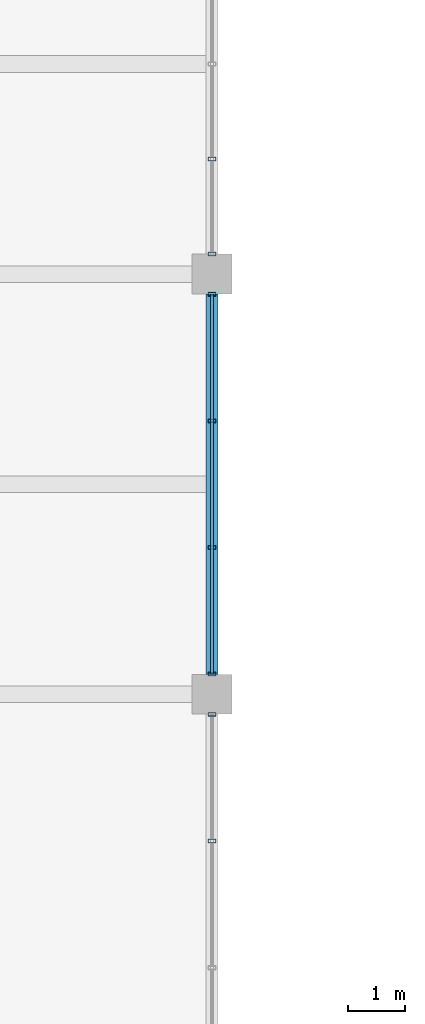
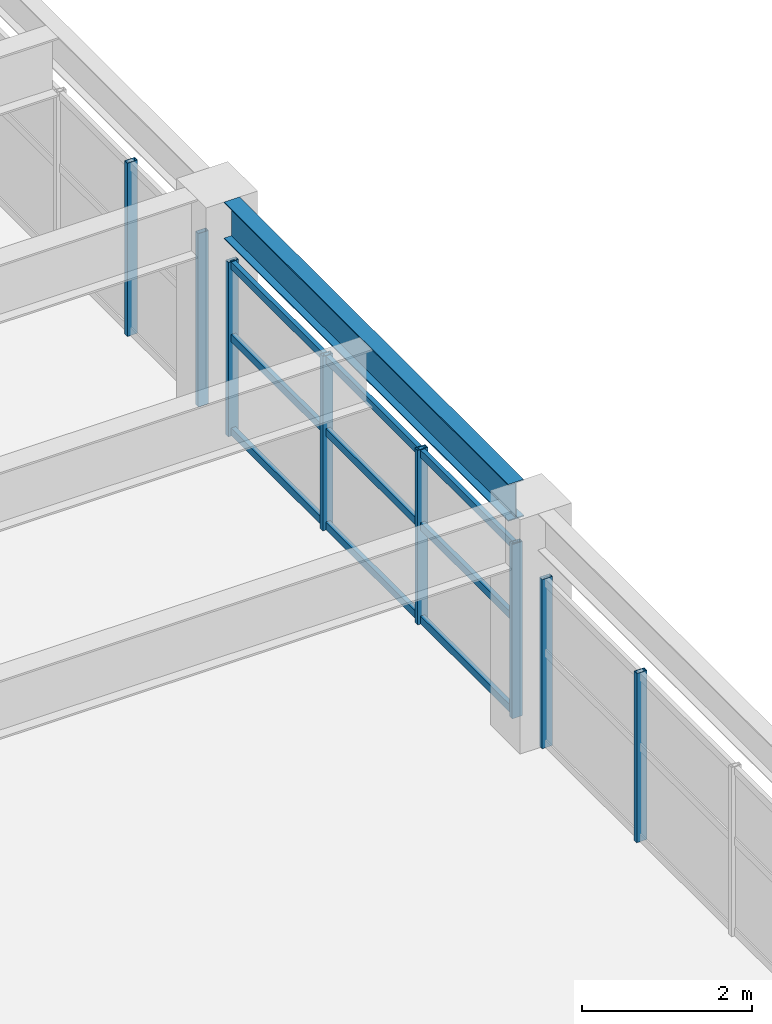
# One storey, part 64 of 121: 11 members, 1 beam, 3 elements without a shape of their own.
"""IFC4 building model written with IfcOpenShell, lengths in metres."""

from ifc_helpers import new_model, si_unit, direction, frame, origin, origin_2d, place, context, subcontext, project, spatial, hollow_rectangle, i_section, extrude, material, material_profile, profile_set, type_object, element, aggregate, save


model = new_model("IFC4")

# Units and contexts
model_context = context("Model", 3, precision=1e-05, world=origin(), true_north=direction((0.0, 1.0)))
body_context = subcontext(model_context, "Body", "Model", "MODEL_VIEW")
ifc_project = project(units=[si_unit("LENGTHUNIT", "METRE"), si_unit("AREAUNIT", "SQUARE_METRE"), si_unit("VOLUMEUNIT", "CUBIC_METRE"), si_unit("PLANEANGLEUNIT", "RADIAN"), si_unit("MASSUNIT", "GRAM", prefix="KILO")], contexts=[model_context])

# Site, building, storey
site_placement = place(None, origin())
site = spatial("IfcSite", under=ifc_project, at=site_placement, CompositionType="ELEMENT")
building_placement = place(site_placement, origin())
building = spatial("IfcBuilding", under=site, at=building_placement, Name="Cimatlan Art Gallery", CompositionType="ELEMENT")
storey_placement = place(building_placement, frame((0.0, 0.0, 10.199951171875)))
storey = spatial("IfcBuildingStorey", under=building, at=storey_placement, Name="L02", CompositionType="ELEMENT", Elevation=10.199951171875)

# Beam
ifc_material_1 = material(Name="Steel ASTM A992 Grade 50", Category="steel")
ifc_material_profile_1 = material_profile(ifc_material_1, i_section(OverallWidth=0.2099609375, OverallDepth=0.532958984375, WebThickness=0.01025390625, FlangeThickness=0.015625, at=origin_2d()), Name="W21X62")
ifc_profile_set_1 = profile_set([ifc_material_profile_1], Name="Steel ASTM A992 Grade 50")
beam_type = type_object("IfcBeamType", Name="BM-STL-W21X62", PredefinedType="BEAM", material=ifc_profile_set_1)
beam_placement = place(storey_placement, frame((99.199951171875, 68.64990234375, 3.103515625), z_axis=(0.0, 1.0, 0.0), x_axis=(-1.0, 0.0, 0.0)))
element("IfcBeam", 1, at=beam_placement, inside=storey, type_object=beam_type, Name="BM-Y-L02-12-09", PredefinedType="BEAM", context=body_context, shape_type="SweptSolid", body=[
    extrude(i_section(OverallWidth=0.2099609375, OverallDepth=0.532958984375, WebThickness=0.01025390625, FlangeThickness=0.015625, at=origin_2d()), origin(), (0.0, 0.0, 1.0), 6.7001953125),
])

# Curtain wall, members
ifc_material_2 = material(Name="Anodised bronze unitised curtain wall")
curtain_wall_type_1 = type_object("IfcCurtainWallType", Name="CW-V-06692X02434-B3", PredefinedType="NOTDEFINED", material=ifc_material_2)
curtain_wall_1_placement = place(storey_placement, origin())
curtain_wall_1 = element("IfcCurtainWall", 2, at=curtain_wall_1_placement, inside=storey, type_object=curtain_wall_type_1, Name="CW-L02-11-08-E", PredefinedType="NOTDEFINED")
ifc_material_3 = material(Name="Anodised bronze aluminium 6063-T6", Category="aluminium")
ifc_material_profile_2 = material_profile(ifc_material_3, hollow_rectangle(XDim=0.06494140625, YDim=0.139892578125, WallThickness=0.00390625, at=origin_2d()), Name="ALU65X140X4")
ifc_profile_set_2 = profile_set([ifc_material_profile_2], Name="Anodised bronze aluminium 6063-T6")
member_type_1 = type_object("IfcMemberType", Name="CW-MUL-140", PredefinedType="MULLION", material=ifc_profile_set_2)
member_1_placement = place(storey_placement, frame((99.199951171875, 67.946044921875, 0.0), z_axis=(0.0, 0.0, 1.0), x_axis=(0.0, 1.0, 0.0)))
member_1 = element("IfcMember", 3, at=member_1_placement, type_object=member_type_1, Name="CW-L02-11-08-E-M1", PredefinedType="MULLION", context=body_context, shape_type="SweptSolid", body=[
    extrude(hollow_rectangle(XDim=0.06494140625, YDim=0.139892578125, WallThickness=0.00390625, at=origin_2d()), origin(), (0.0, 0.0, 1.0), 2.43408203125),
])
member_2_placement = place(storey_placement, frame((99.199951171875, 65.71533203125, 0.0), z_axis=(0.0, 0.0, 1.0), x_axis=(0.0, 1.0, 0.0)))
member_2 = element("IfcMember", 4, at=member_2_placement, type_object=member_type_1, Name="CW-L02-11-08-E-M2", PredefinedType="MULLION", context=body_context, shape_type="SweptSolid", body=[
    extrude(hollow_rectangle(XDim=0.06494140625, YDim=0.139892578125, WallThickness=0.00390625, at=origin_2d()), origin(), (0.0, 0.0, 1.0), 2.43408203125),
])
aggregate(curtain_wall_1, [member_1, member_2])

curtain_wall_type_2 = type_object("IfcCurtainWallType", Name="CW-V-06692X02509-B3", PredefinedType="NOTDEFINED", material=ifc_material_2)
curtain_wall_2_placement = place(storey_placement, origin())
curtain_wall_2 = element("IfcCurtainWall", 5, at=curtain_wall_2_placement, inside=storey, type_object=curtain_wall_type_2, Name="CW-L02-11-09-E", PredefinedType="NOTDEFINED")
member_3_placement = place(storey_placement, frame((99.199951171875, 75.345947265625, 0.0), z_axis=(0.0, 0.0, 1.0), x_axis=(0.0, 1.0, 0.0)))
member_3 = element("IfcMember", 6, at=member_3_placement, type_object=member_type_1, Name="CW-L02-11-09-E-M1", PredefinedType="MULLION", context=body_context, shape_type="SweptSolid", body=[
    extrude(hollow_rectangle(XDim=0.06494140625, YDim=0.139892578125, WallThickness=0.00390625, at=origin_2d()), origin(), (0.0, 0.0, 1.0), 2.509033203125),
])
member_4_placement = place(storey_placement, frame((99.199951171875, 73.115234375, 0.0), z_axis=(0.0, 0.0, 1.0), x_axis=(0.0, 1.0, 0.0)))
member_4 = element("IfcMember", 7, at=member_4_placement, type_object=member_type_1, Name="CW-L02-11-09-E-M2", PredefinedType="MULLION", context=body_context, shape_type="SweptSolid", body=[
    extrude(hollow_rectangle(XDim=0.06494140625, YDim=0.139892578125, WallThickness=0.00390625, at=origin_2d()), origin(), (0.0, 0.0, 1.0), 2.509033203125),
])
member_5_placement = place(storey_placement, frame((99.199951171875, 70.884765625, 0.0), z_axis=(0.0, 0.0, 1.0), x_axis=(0.0, 1.0, 0.0)))
member_5 = element("IfcMember", 8, at=member_5_placement, type_object=member_type_1, Name="CW-L02-11-09-E-M3", PredefinedType="MULLION", context=body_context, shape_type="SweptSolid", body=[
    extrude(hollow_rectangle(XDim=0.06494140625, YDim=0.139892578125, WallThickness=0.00390625, at=origin_2d()), origin(), (0.0, 0.0, 1.0), 2.509033203125),
])
member_6_placement = place(storey_placement, frame((99.199951171875, 68.654052734375, 0.0), z_axis=(0.0, 0.0, 1.0), x_axis=(0.0, 1.0, 0.0)))
member_6 = element("IfcMember", 9, at=member_6_placement, type_object=member_type_1, Name="CW-L02-11-09-E-M4", PredefinedType="MULLION", context=body_context, shape_type="SweptSolid", body=[
    extrude(hollow_rectangle(XDim=0.06494140625, YDim=0.139892578125, WallThickness=0.00390625, at=origin_2d()), origin(), (0.0, 0.0, 1.0), 2.509033203125),
])

curtain_wall_type_3 = type_object("IfcCurtainWallType", Name="CW-V-06692X02494-B4", PredefinedType="NOTDEFINED", material=ifc_material_2)
curtain_wall_3_placement = place(storey_placement, origin())
curtain_wall_3 = element("IfcCurtainWall", 10, at=curtain_wall_3_placement, inside=storey, type_object=curtain_wall_type_3, Name="CW-L02-11-10-E", PredefinedType="NOTDEFINED")
member_7_placement = place(storey_placement, frame((99.199951171875, 77.72705078125, 0.0), z_axis=(0.0, 0.0, 1.0), x_axis=(0.0, 1.0, 0.0)))
member_7 = element("IfcMember", 11, at=member_7_placement, type_object=member_type_1, Name="CW-L02-11-10-E-M4", PredefinedType="MULLION", context=body_context, shape_type="SweptSolid", body=[
    extrude(hollow_rectangle(XDim=0.06494140625, YDim=0.139892578125, WallThickness=0.00390625, at=origin_2d()), origin(), (0.0, 0.0, 1.0), 2.494140625),
])
member_8_placement = place(storey_placement, frame((99.199951171875, 76.053955078125, 0.0), z_axis=(0.0, 0.0, 1.0), x_axis=(0.0, 1.0, 0.0)))
member_8 = element("IfcMember", 12, at=member_8_placement, type_object=member_type_1, Name="CW-L02-11-10-E-M5", PredefinedType="MULLION", context=body_context, shape_type="SweptSolid", body=[
    extrude(hollow_rectangle(XDim=0.06494140625, YDim=0.139892578125, WallThickness=0.00390625, at=origin_2d()), origin(), (0.0, 0.0, 1.0), 2.494140625),
])
aggregate(curtain_wall_3, [member_7, member_8])

# Member
ifc_material_profile_3 = material_profile(ifc_material_3, hollow_rectangle(XDim=0.06005859375, YDim=0.110107421875, WallThickness=0.00341796875, at=origin_2d()), Name="ALU60X110X3")
ifc_profile_set_3 = profile_set([ifc_material_profile_3], Name="Anodised bronze aluminium 6063-T6")
member_type_2 = type_object("IfcMemberType", Name="CW-TRN-110", PredefinedType="USERDEFINED", material=ifc_profile_set_3)
member_9_placement = place(storey_placement, frame((99.199951171875, 75.345947265625, 0.06005859375), z_axis=(0.0, -1.0, 0.0), x_axis=(1.0, 0.0, 0.0)))
member_9 = element("IfcMember", 13, at=member_9_placement, type_object=member_type_2, Name="CW-L02-11-09-E-T1", ObjectType="TRANSOM", PredefinedType="USERDEFINED", context=body_context, shape_type="SweptSolid", body=[
    extrude(hollow_rectangle(XDim=0.06005859375, YDim=0.110107421875, WallThickness=0.00341796875, at=origin_2d()), origin(), (0.0, 0.0, 1.0), 6.69189453125),
])

member_10_placement = place(storey_placement, frame((99.199951171875, 75.345947265625, 1.405029296875), z_axis=(0.0, -1.0, 0.0), x_axis=(1.0, 0.0, 0.0)))
member_10 = element("IfcMember", 14, at=member_10_placement, type_object=member_type_2, Name="CW-L02-11-09-E-T2", ObjectType="TRANSOM", PredefinedType="USERDEFINED", context=body_context, shape_type="SweptSolid", body=[
    extrude(hollow_rectangle(XDim=0.06005859375, YDim=0.110107421875, WallThickness=0.00341796875, at=origin_2d()), origin(), (0.0, 0.0, 1.0), 6.69189453125),
])

member_11_placement = place(storey_placement, frame((99.199951171875, 75.345947265625, 2.448974609375), z_axis=(0.0, -1.0, 0.0), x_axis=(1.0, 0.0, 0.0)))
member_11 = element("IfcMember", 15, at=member_11_placement, type_object=member_type_2, Name="CW-L02-11-09-E-T3", ObjectType="TRANSOM", PredefinedType="USERDEFINED", context=body_context, shape_type="SweptSolid", body=[
    extrude(hollow_rectangle(XDim=0.06005859375, YDim=0.110107421875, WallThickness=0.00341796875, at=origin_2d()), origin(), (0.0, 0.0, 1.0), 6.69189453125),
])

aggregate(curtain_wall_2, [member_3, member_4, member_5, member_6, member_9, member_10, member_11])

save(model, "model.ifc")
